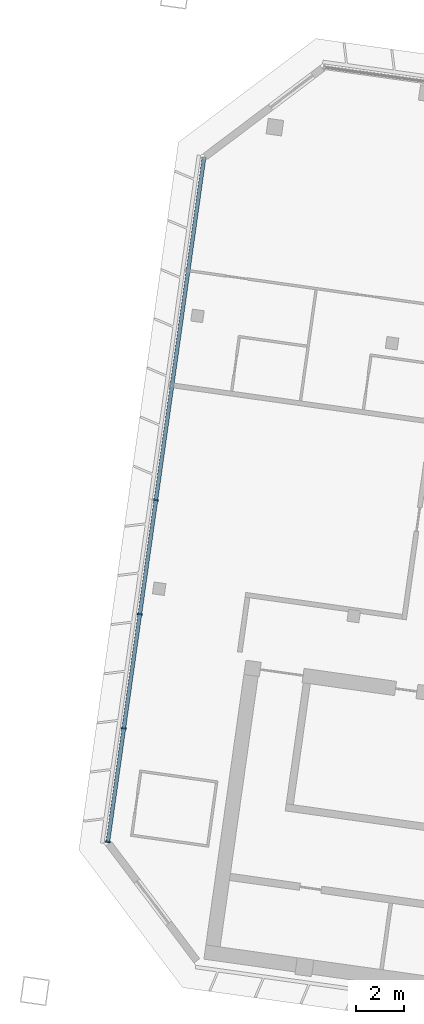
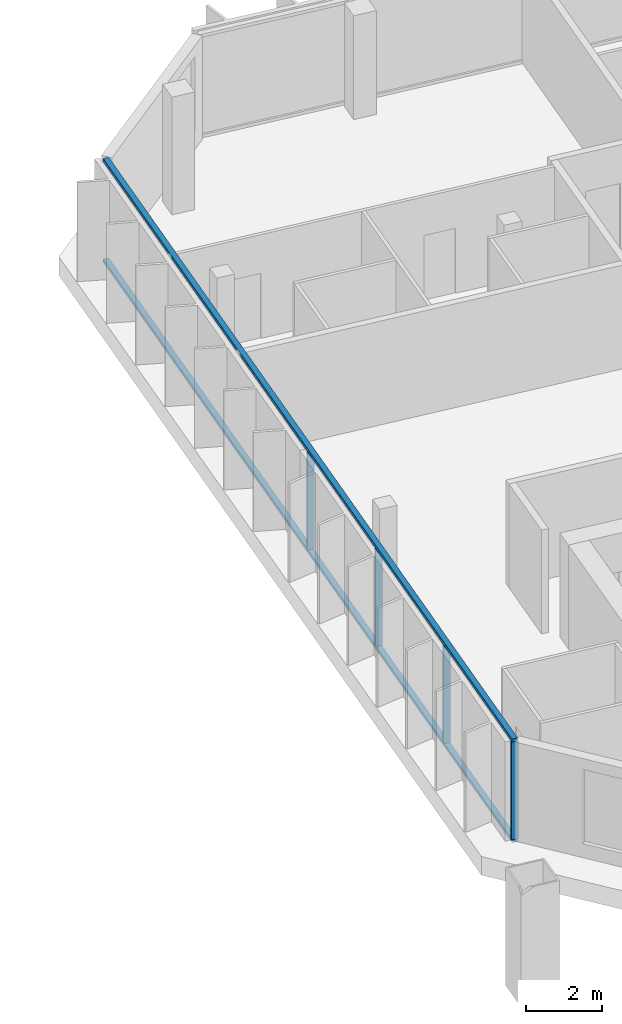
# One storey, part 2 of 20: 6 members, 1 element without a shape of its own.
"""IFC4 building model written with IfcOpenShell, lengths in metres."""

from ifc_helpers import new_model, si_unit, direction, frame, origin, origin_2d, place, context, subcontext, project, spatial, rectangle, extrude, material, material_profile, profile_set, type_object, element, aggregate, save


model = new_model("IFC4")

# Units and contexts
model_context = context("Model", 3, precision=1e-05, world=origin(), true_north=direction((0.0, 1.0)))
body_context = subcontext(model_context, "Body", "Model", "MODEL_VIEW")
ifc_project = project(units=[si_unit("LENGTHUNIT", "METRE"), si_unit("AREAUNIT", "SQUARE_METRE"), si_unit("VOLUMEUNIT", "CUBIC_METRE"), si_unit("PLANEANGLEUNIT", "RADIAN"), si_unit("MASSUNIT", "GRAM", prefix="KILO")], contexts=[model_context])

# Site, building, storey
site_placement = place(None, origin())
site = spatial("IfcSite", under=ifc_project, at=site_placement, CompositionType="ELEMENT")
building_placement = place(site_placement, origin())
building = spatial("IfcBuilding", under=site, at=building_placement, Name="Mirante Cascada Hotel Towers", CompositionType="ELEMENT")
storey_placement = place(building_placement, frame((0.0, 0.0, 224.2)))
storey = spatial("IfcBuildingStorey", under=building, at=storey_placement, Name="L53", CompositionType="ELEMENT", Elevation=224.2)

# Curtain wall, members
ifc_material_1 = material(Name="Aluminium mullion and transom frame with clear laminated glass", Category="aluminium")
curtain_wall_type = type_object("IfcCurtainWallType", Name="End ribbon curtain wall ECW2", PredefinedType="NOTDEFINED", material=ifc_material_1)
curtain_wall_placement = place(storey_placement, origin())
curtain_wall = element("IfcCurtainWall", 1, at=curtain_wall_placement, inside=storey, type_object=curtain_wall_type, Name="Outer end wall T1 L53", PredefinedType="NOTDEFINED")
ifc_material_2 = material(Name="Anodised aluminium extrusion", Category="aluminium")
ifc_material_profile_1 = material_profile(ifc_material_2, rectangle(XDim=0.2, YDim=0.065, at=origin_2d()), Name="ECW2 MULLION 65x200")
ifc_profile_set_1 = profile_set([ifc_material_profile_1], Name="Anodised aluminium extrusion")
member_type_1 = type_object("IfcMemberType", Name="ECW2 mullion 65x200", PredefinedType="MULLION", material=ifc_profile_set_1)
member_1_placement = place(storey_placement, frame((-76.4184, -10.0233, 0.1), z_axis=(0.0, 0.0, 1.0), x_axis=(-0.9902681, 0.1391731, 0.0)))
member_1 = element("IfcMember", 2, at=member_1_placement, type_object=member_type_1, Name="ECW2 mullion 1", PredefinedType="MULLION", context=body_context, shape_type="SweptSolid", body=[
    extrude(rectangle(XDim=0.2, YDim=0.065, at=origin_2d()), origin(), (0.0, 0.0, 1.0), 3.15),
])
member_2_placement = place(storey_placement, frame((-75.7531, -5.2897, 0.1), z_axis=(0.0, 0.0, 1.0), x_axis=(-0.9902681, 0.1391731, 0.0)))
member_2 = element("IfcMember", 3, at=member_2_placement, type_object=member_type_1, Name="ECW2 mullion 2", PredefinedType="MULLION", context=body_context, shape_type="SweptSolid", body=[
    extrude(rectangle(XDim=0.2, YDim=0.065, at=origin_2d()), origin(), (0.0, 0.0, 1.0), 3.15),
])
member_3_placement = place(storey_placement, frame((-75.0833, -0.5239, 0.1), z_axis=(0.0, 0.0, 1.0), x_axis=(-0.9902681, 0.1391731, 0.0)))
member_3 = element("IfcMember", 4, at=member_3_placement, type_object=member_type_1, Name="ECW2 mullion 3", PredefinedType="MULLION", context=body_context, shape_type="SweptSolid", body=[
    extrude(rectangle(XDim=0.2, YDim=0.065, at=origin_2d()), origin(), (0.0, 0.0, 1.0), 3.15),
])
member_4_placement = place(storey_placement, frame((-74.4135, 4.2419, 0.1), z_axis=(0.0, 0.0, 1.0), x_axis=(-0.9902681, 0.1391731, 0.0)))
member_4 = element("IfcMember", 5, at=member_4_placement, type_object=member_type_1, Name="ECW2 mullion 4", PredefinedType="MULLION", context=body_context, shape_type="SweptSolid", body=[
    extrude(rectangle(XDim=0.2, YDim=0.065, at=origin_2d()), origin(), (0.0, 0.0, 1.0), 3.15),
])
ifc_material_3 = material(Name="Anodised aluminium extrusion", Category="aluminium")
ifc_material_profile_2 = material_profile(ifc_material_3, rectangle(XDim=0.16, YDim=0.1, at=origin_2d()), Name="ECW2 TRANSOM 100x160")
ifc_profile_set_2 = profile_set([ifc_material_profile_2], Name="Anodised aluminium extrusion")
member_type_2 = type_object("IfcMemberType", Name="ECW2 transom 100x160", PredefinedType="USERDEFINED", material=ifc_profile_set_2)
member_5_placement = place(storey_placement, frame((-76.4229, -10.0554, 0.05), z_axis=(0.1391723, 0.9902682, 0.0), x_axis=(-0.9902682, 0.1391723, 0.0)))
member_5 = element("IfcMember", 6, at=member_5_placement, type_object=member_type_2, Name="ECW2 sill transom", ObjectType="TRANSOM", PredefinedType="USERDEFINED", context=body_context, shape_type="SweptSolid", body=[
    extrude(rectangle(XDim=0.16, YDim=0.1, at=origin_2d()), origin(), (0.0, 0.0, 1.0), 28.8757),
])
member_6_placement = place(storey_placement, frame((-76.4229, -10.0554, 3.3), z_axis=(0.1391723, 0.9902682, 0.0), x_axis=(-0.9902682, 0.1391723, 0.0)))
member_6 = element("IfcMember", 7, at=member_6_placement, type_object=member_type_2, Name="ECW2 head transom", ObjectType="TRANSOM", PredefinedType="USERDEFINED", context=body_context, shape_type="SweptSolid", body=[
    extrude(rectangle(XDim=0.16, YDim=0.1, at=origin_2d()), origin(), (0.0, 0.0, 1.0), 28.8757),
])
aggregate(curtain_wall, [member_5, member_6, member_1, member_2, member_3, member_4])

save(model, "model.ifc")
